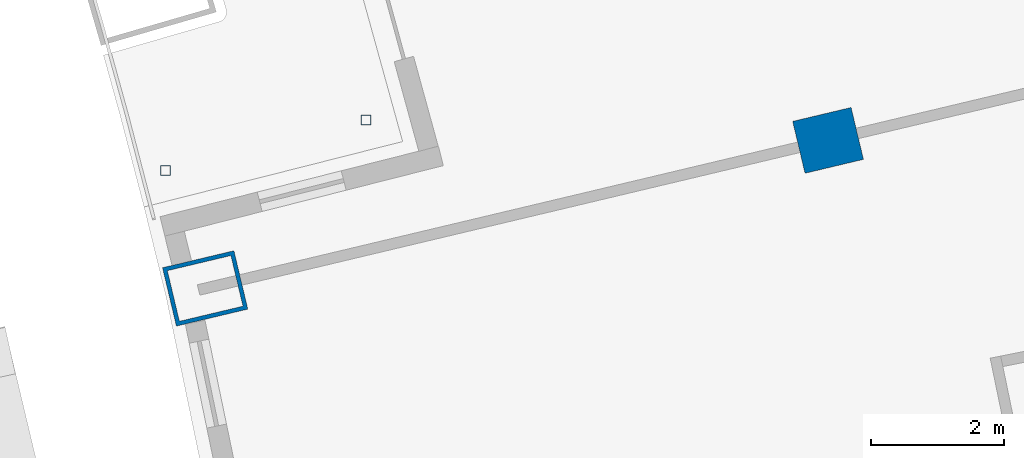
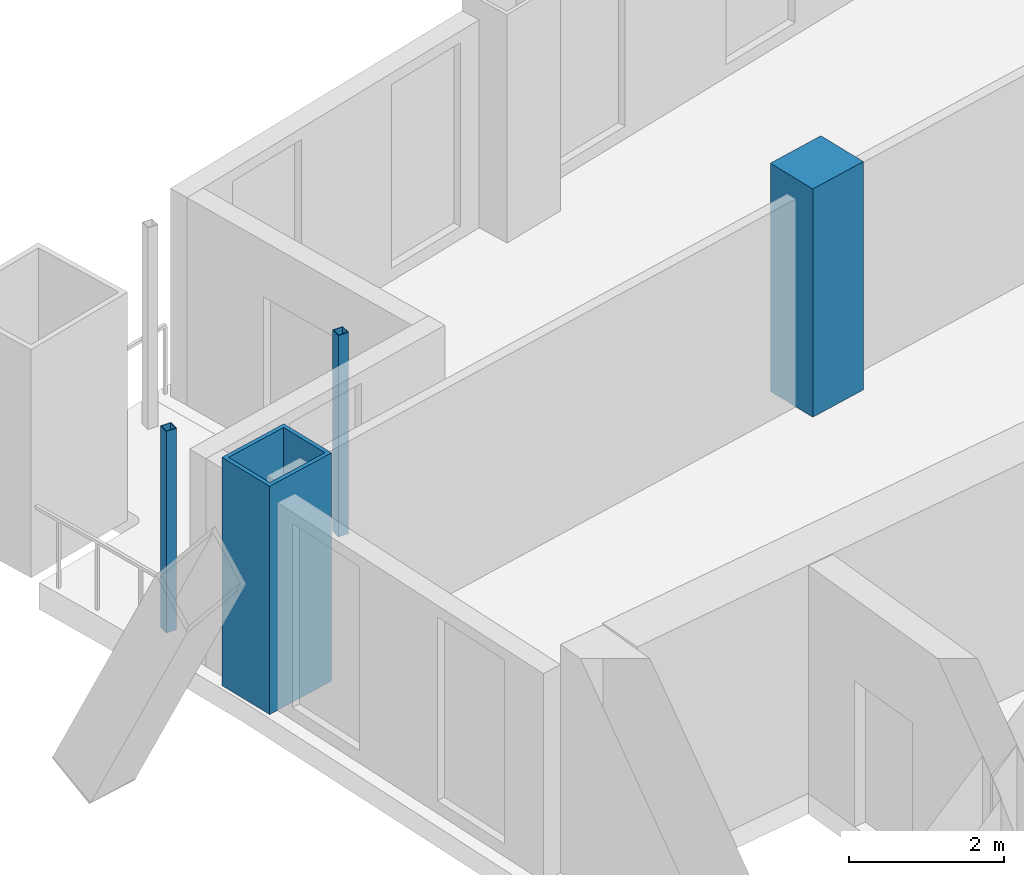
# One storey, part 5 of 19: 4 columns.
"""IFC4 building model written with IfcOpenShell, lengths in metres."""

from ifc_helpers import new_model, si_unit, direction, frame, origin, origin_2d, place, context, subcontext, project, spatial, rectangle, hollow_rectangle, extrude, material, material_profile, profile_set, type_object, element, save


model = new_model("IFC4")

# Units and contexts
model_context = context("Model", 3, precision=1e-05, world=origin(), true_north=direction((0.0, 1.0)))
body_context = subcontext(model_context, "Body", "Model", "MODEL_VIEW")
ifc_project = project(units=[si_unit("LENGTHUNIT", "METRE"), si_unit("AREAUNIT", "SQUARE_METRE"), si_unit("VOLUMEUNIT", "CUBIC_METRE"), si_unit("PLANEANGLEUNIT", "RADIAN"), si_unit("MASSUNIT", "GRAM", prefix="KILO")], contexts=[model_context])

# Site, building, storey
site_placement = place(None, origin())
site = spatial("IfcSite", under=ifc_project, at=site_placement, CompositionType="ELEMENT")
building_placement = place(site_placement, origin())
building = spatial("IfcBuilding", under=site, at=building_placement, Name="Alderwake Tower", CompositionType="ELEMENT")
storey_placement = place(building_placement, frame((0.0, 0.0, 171.199951171875)))
storey = spatial("IfcBuildingStorey", under=building, at=storey_placement, Name="L42", CompositionType="ELEMENT", Elevation=171.199951171875)

# Columns
ifc_material_1 = material(Name="Concrete C70/85", Category="concrete")
ifc_material_profile_1 = material_profile(ifc_material_1, rectangle(XDim=0.800048828125, YDim=0.89990234375, at=origin_2d()), Name="RC 900X800")
ifc_profile_set_1 = profile_set([ifc_material_profile_1], Name="Concrete C70/85")
column_type_1 = type_object("IfcColumnType", Name="Interior column Z3", PredefinedType="COLUMN", material=ifc_profile_set_1)
column_1_placement = place(storey_placement, frame((23.322021484375, 85.555908203125, 0.0), z_axis=(0.0, 0.0, 1.0), x_axis=(-0.231221547198, 0.972901123502, 0.0)))
element("IfcColumn", 1, at=column_1_placement, inside=storey, type_object=column_type_1, Name="Column R11-C1", PredefinedType="COLUMN", context=body_context, shape_type="SweptSolid", body=[
    extrude(rectangle(XDim=0.800048828125, YDim=0.89990234375, at=origin_2d()), origin(), (0.0, 0.0, 1.0), 3.60009765625),
])
ifc_material_2 = material(Name="Steel ASTM A500 Grade C", Category="steel")
ifc_material_profile_2 = material_profile(ifc_material_2, hollow_rectangle(XDim=0.15234375, YDim=0.15234375, WallThickness=0.0087890625, at=origin_2d()), Name="HSS6X6X3/8")
ifc_profile_set_2 = profile_set([ifc_material_profile_2], Name="Steel ASTM A500 Grade C")
column_type_2 = type_object("IfcColumnType", Name="Light post HSS6X6X3/8", PredefinedType="COLUMN", material=ifc_profile_set_2)
for number, where, z_axis, x_axis, name in (
    (2, (13.3896484375, 85.103515625, 0.0), (0.0, 0.0, 1.0), (1.0, 0.0, 0.0), "Terrace post RN1"),
    (3, (16.39501953125, 85.864013671875, 0.0), (0.0, 0.0, 1.0), (1.0, 0.0, 0.0), "Terrace post RN3"),
):
    element("IfcColumn", number, at=place(storey_placement, frame(where, z_axis=z_axis, x_axis=x_axis)), inside=storey, type_object=column_type_2, Name=name, PredefinedType="COLUMN", context=body_context, shape_type="SweptSolid", body=[
        extrude(hollow_rectangle(XDim=0.15234375, YDim=0.15234375, WallThickness=0.0087890625, at=origin_2d()), origin(), (0.0, 0.0, 1.0), 3.179931640625),
    ])
ifc_material_3 = material(Name="Steel ASTM A572 Grade 50 concrete filled C70/85", Category="concrete")
ifc_material_profile_3 = material_profile(ifc_material_3, hollow_rectangle(XDim=0.89990234375, YDim=1.10009765625, WallThickness=0.06005859375, at=origin_2d()), Name="BOX 1100X900X60")
ifc_profile_set_3 = profile_set([ifc_material_profile_3], Name="Steel ASTM A572 Grade 50 concrete filled C70/85")
column_type_3 = type_object("IfcColumnType", Name="Perimeter column Z3", PredefinedType="COLUMN", material=ifc_profile_set_3)
column_2_placement = place(storey_placement, frame((13.982177734375, 83.3359375, 0.0), z_axis=(0.0, 0.0, 1.0), x_axis=(-0.231221547198, 0.972901123502, 0.0)))
element("IfcColumn", 4, at=column_2_placement, inside=storey, type_object=column_type_3, Name="Column R11-C0", PredefinedType="COLUMN", context=body_context, shape_type="SweptSolid", body=[
    extrude(hollow_rectangle(XDim=0.89990234375, YDim=1.10009765625, WallThickness=0.06005859375, at=origin_2d()), origin(), (0.0, 0.0, 1.0), 3.60009765625),
])

save(model, "model.ifc")
